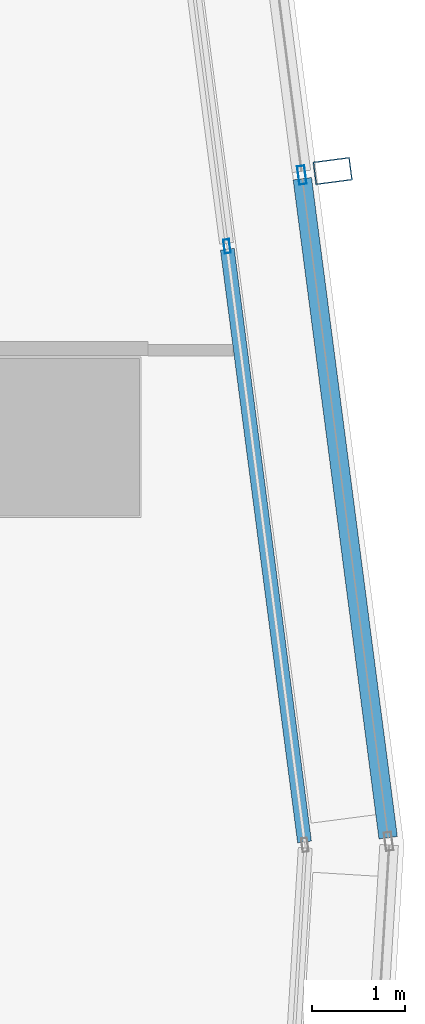
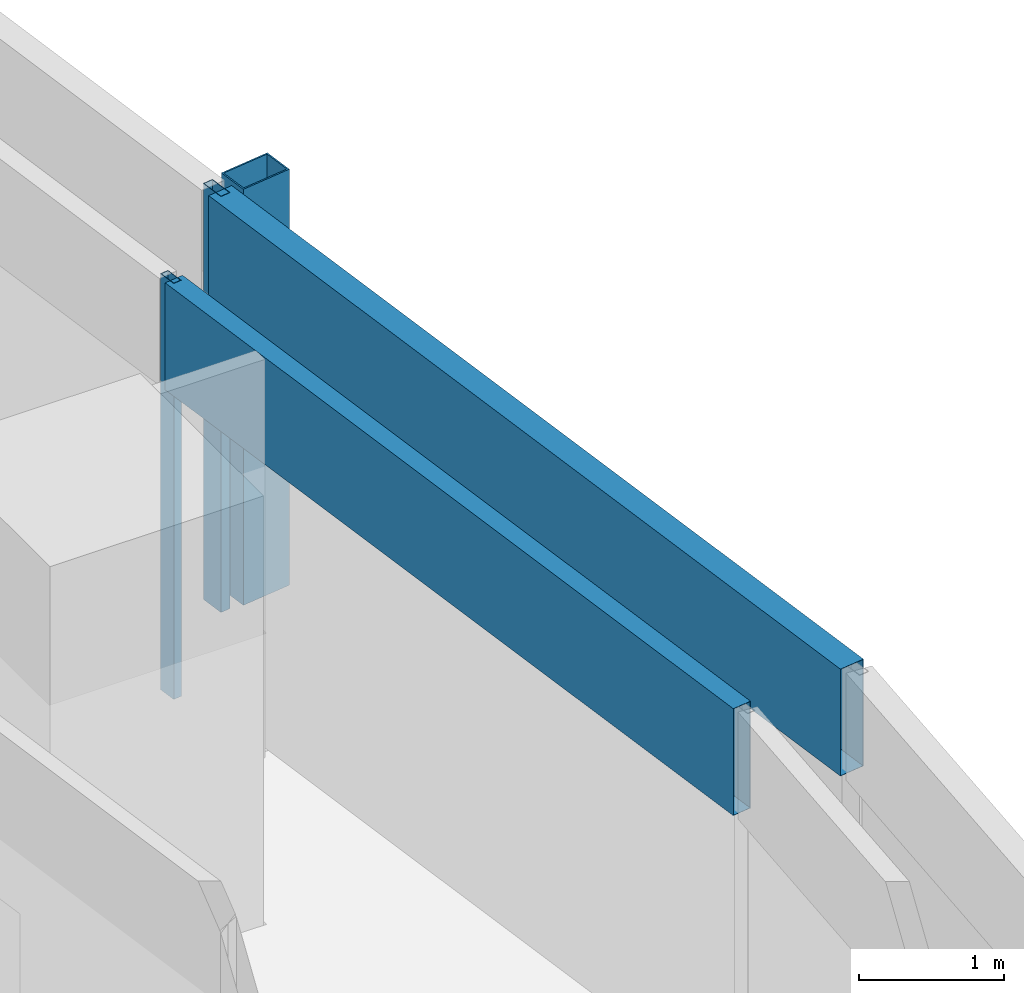
# One storey, part 26 of 40: 5 members, 2 elements without a shape of their own.
"""IFC4 building model written with IfcOpenShell, lengths in metres."""

from ifc_helpers import new_model, si_unit, direction, frame, origin, origin_2d, place, context, subcontext, project, spatial, hollow_rectangle, extrude, material, material_profile, profile_set, type_object, element, aggregate, save


model = new_model("IFC4")

# Units and contexts
model_context = context("Model", 3, precision=1e-05, world=origin(), true_north=direction((0.0, 1.0)))
body_context = subcontext(model_context, "Body", "Model", "MODEL_VIEW")
ifc_project = project(units=[si_unit("LENGTHUNIT", "METRE"), si_unit("AREAUNIT", "SQUARE_METRE"), si_unit("VOLUMEUNIT", "CUBIC_METRE"), si_unit("PLANEANGLEUNIT", "RADIAN"), si_unit("MASSUNIT", "GRAM", prefix="KILO")], contexts=[model_context])

# Site, building, storey
site_placement = place(None, origin())
site = spatial("IfcSite", under=ifc_project, at=site_placement, CompositionType="ELEMENT")
building_placement = place(site_placement, origin())
building = spatial("IfcBuilding", under=site, at=building_placement, Name="Rekha Terrace Tower", CompositionType="ELEMENT")
storey_placement = place(building_placement, frame((0.0, 0.0, 125.300048828125)))
storey = spatial("IfcBuildingStorey", under=building, at=storey_placement, Name="L31", CompositionType="ELEMENT", Elevation=125.300048828125)

# Curtain wall, member
ifc_material_1 = material(Name="Aluminium framing", Category="aluminium")
curtain_wall_type_1 = type_object("IfcCurtainWallType", Name="CW2 double skin outer glazing", PredefinedType="USERDEFINED", material=ifc_material_1)
curtain_wall_1_placement = place(storey_placement, origin())
curtain_wall_1 = element("IfcCurtainWall", 1, at=curtain_wall_1_placement, inside=storey, type_object=curtain_wall_type_1, Name="CW2 double skin outer glazing", ObjectType="DOUBLE SKIN OUTER GLAZING", PredefinedType="USERDEFINED")
ifc_material_2 = material(Name="Steel S355 with fluorocarbon finish", Category="steel")
ifc_material_profile_1 = material_profile(ifc_material_2, hollow_rectangle(XDim=0.25, YDim=0.39990234375, WallThickness=0.012451171875, at=origin_2d()), Name="RHS400x250x12.5")
ifc_profile_set_1 = profile_set([ifc_material_profile_1], Name="Steel S355 with fluorocarbon finish")
member_type_1 = type_object("IfcMemberType", Name="BL1 facade blade RHS 400 x 250", PredefinedType="USERDEFINED", material=ifc_profile_set_1)
member_1_placement = place(storey_placement, frame((70.131103515625, 53.2685546875, 0.0), z_axis=(0.0, 0.0, 1.0), x_axis=(-0.129119247945, 0.991629073702, 0.0)))
member_1 = element("IfcMember", 2, at=member_1_placement, type_object=member_type_1, Name="Facade blade", ObjectType="FACADE BLADE", PredefinedType="USERDEFINED", context=body_context, shape_type="SweptSolid", body=[
    extrude(hollow_rectangle(XDim=0.25, YDim=0.39990234375, WallThickness=0.012451171875, at=origin_2d()), origin(), (0.0, 0.0, 1.0), 3.5),
])

# Curtain wall, members
curtain_wall_type_2 = type_object("IfcCurtainWallType", Name="CW1 double skin inner glazing", PredefinedType="USERDEFINED", material=ifc_material_1)
curtain_wall_2_placement = place(storey_placement, origin())
curtain_wall_2 = element("IfcCurtainWall", 3, at=curtain_wall_2_placement, inside=storey, type_object=curtain_wall_type_2, Name="CW1 double skin inner glazing", ObjectType="DOUBLE SKIN INNER GLAZING", PredefinedType="USERDEFINED")
ifc_material_3 = material(Name="Aluminium mullion section", Category="aluminium")
ifc_material_profile_2 = material_profile(ifc_material_3, hollow_rectangle(XDim=0.06494140625, YDim=0.14990234375, WallThickness=0.00390625, at=origin_2d()), Name="AL RHS 65x150")
ifc_profile_set_2 = profile_set([ifc_material_profile_2], Name="Aluminium mullion section")
member_type_2 = type_object("IfcMemberType", Name="CW1 mullion RHS 65 x 150", PredefinedType="MULLION", material=ifc_profile_set_2)
member_2_placement = place(storey_placement, frame((68.9912109375, 52.45751953125, 0.0), z_axis=(0.0, 0.0, 1.0), x_axis=(-0.991629186237, -0.129118383675, 0.0)))
member_2 = element("IfcMember", 4, at=member_2_placement, type_object=member_type_2, Name="CW1 mullion 2", PredefinedType="MULLION", context=body_context, shape_type="SweptSolid", body=[
    extrude(hollow_rectangle(XDim=0.06494140625, YDim=0.14990234375, WallThickness=0.00390625, at=origin_2d()), origin(), (0.0, 0.0, 1.0), 3.5),
])
ifc_material_4 = material(Name="Insulated aluminium spandrel box", Category="aluminium")
ifc_material_profile_3 = material_profile(ifc_material_4, hollow_rectangle(XDim=0.14990234375, YDim=0.89990234375, WallThickness=0.0029296875, at=origin_2d()), Name="AL SPANDREL BOX 150x900")
ifc_profile_set_3 = profile_set([ifc_material_profile_3], Name="Insulated aluminium spandrel box")
member_type_3 = type_object("IfcMemberType", Name="CW1 spandrel transom 150 x 900", PredefinedType="USERDEFINED", material=ifc_profile_set_3)
member_3_placement = place(storey_placement, frame((69.827392578125, 46.0361328125, 3.050048828125), z_axis=(-0.129135072997, 0.991627013005, 0.0), x_axis=(-0.991627013005, -0.129135072997, 0.0)))
member_3 = element("IfcMember", 5, at=member_3_placement, type_object=member_type_3, Name="CW1 spandrel transom 1", ObjectType="TRANSOM", PredefinedType="USERDEFINED", context=body_context, shape_type="SweptSolid", body=[
    extrude(hollow_rectangle(XDim=0.14990234375, YDim=0.89990234375, WallThickness=0.0029296875, at=origin_2d()), origin(), (0.0, 0.0, 1.0), 6.443115234375),
])
aggregate(curtain_wall_2, [member_2, member_3])

# Member
ifc_material_profile_4 = material_profile(ifc_material_3, hollow_rectangle(XDim=0.080078125, YDim=0.199951171875, WallThickness=0.00390625, at=origin_2d()), Name="AL RHS 80x200")
ifc_profile_set_4 = profile_set([ifc_material_profile_4], Name="Aluminium mullion section")
member_type_4 = type_object("IfcMemberType", Name="CW2 mullion RHS 80 x 200", PredefinedType="MULLION", material=ifc_profile_set_4)
member_4_placement = place(storey_placement, frame((69.798828125, 53.225341796875, 0.0), z_axis=(0.0, 0.0, 1.0), x_axis=(-0.991629186244, -0.129118383623, 0.0)))
member_4 = element("IfcMember", 6, at=member_4_placement, type_object=member_type_4, Name="CW2 mullion 2", PredefinedType="MULLION", context=body_context, shape_type="SweptSolid", body=[
    extrude(hollow_rectangle(XDim=0.080078125, YDim=0.199951171875, WallThickness=0.00390625, at=origin_2d()), origin(), (0.0, 0.0, 1.0), 3.5),
])

ifc_material_profile_5 = material_profile(ifc_material_4, hollow_rectangle(XDim=0.199951171875, YDim=0.89990234375, WallThickness=0.0029296875, at=origin_2d()), Name="AL SPANDREL BOX 200x900")
ifc_profile_set_5 = profile_set([ifc_material_profile_5], Name="Insulated aluminium spandrel box")
member_type_5 = type_object("IfcMemberType", Name="CW2 spandrel transom 200 x 900", PredefinedType="USERDEFINED", material=ifc_profile_set_5)
member_5_placement = place(storey_placement, frame((70.72900390625, 46.081787109375, 3.050048828125), z_axis=(-0.129125015962, 0.991628322635, 0.0), x_axis=(-0.991628322635, -0.129125015962, 0.0)))
member_5 = element("IfcMember", 7, at=member_5_placement, type_object=member_type_5, Name="CW2 spandrel transom 1", ObjectType="TRANSOM", PredefinedType="USERDEFINED", context=body_context, shape_type="SweptSolid", body=[
    extrude(hollow_rectangle(XDim=0.199951171875, YDim=0.89990234375, WallThickness=0.0029296875, at=origin_2d()), origin(), (0.0, 0.0, 1.0), 7.1640625),
])

aggregate(curtain_wall_1, [member_4, member_5, member_1])

save(model, "model.ifc")
